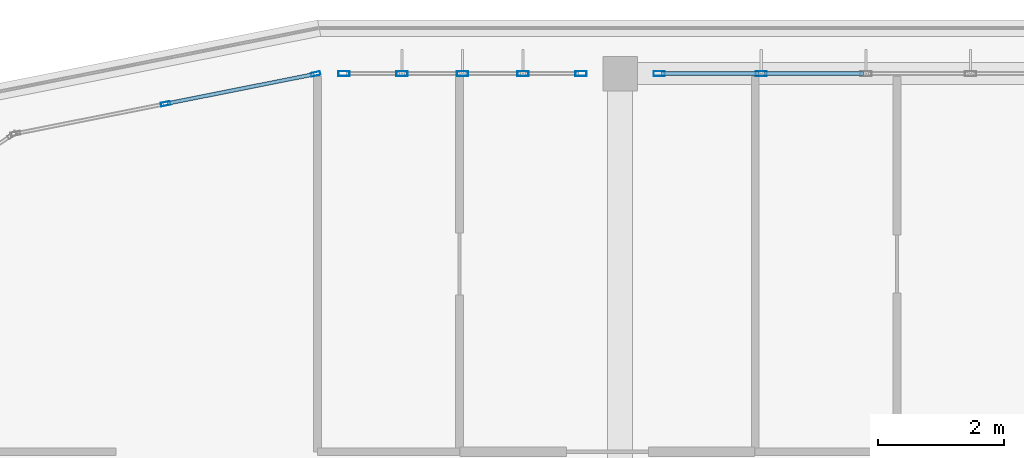
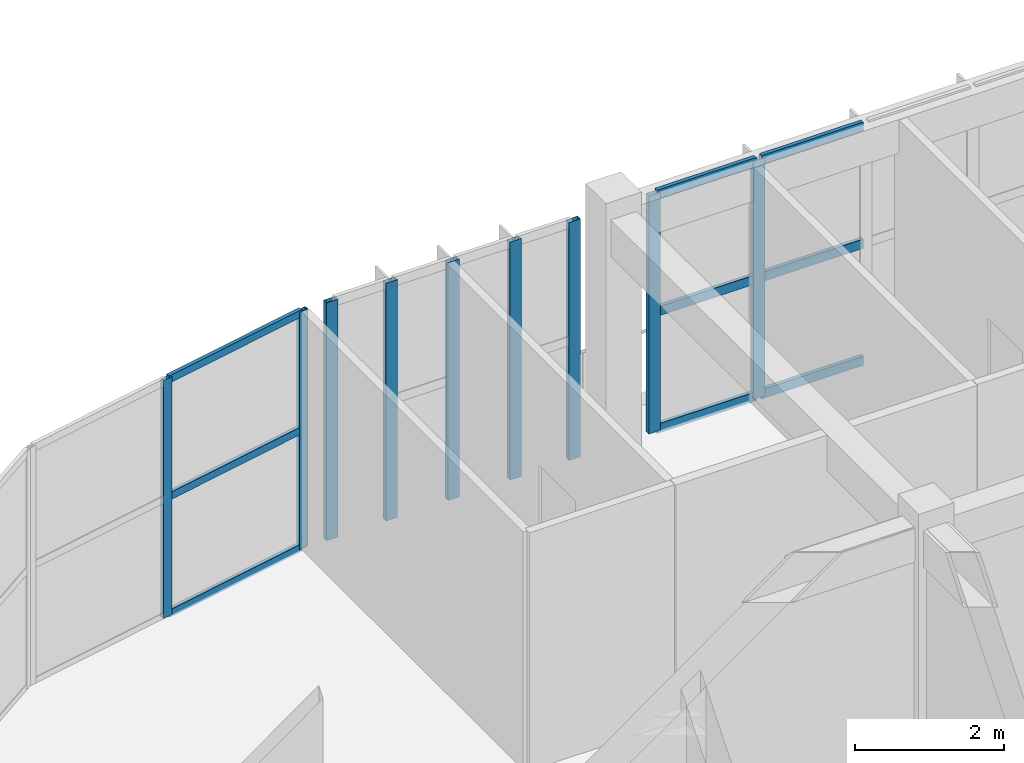
# One storey, part 8 of 44: 18 members, 3 elements without a shape of their own.
"""IFC4 building model written with IfcOpenShell, lengths in metres."""

from ifc_helpers import new_model, si_unit, direction, frame, origin, origin_2d, place, context, subcontext, project, spatial, hollow_rectangle, extrude, material, layer, layer_set, material_profile, profile_set, type_object, element, aggregate, save


model = new_model("IFC4")

# Units and contexts
model_context = context("Model", 3, precision=1e-05, world=origin(), true_north=direction((0.0, 1.0)))
body_context = subcontext(model_context, "Body", "Model", "MODEL_VIEW")
ifc_project = project(units=[si_unit("LENGTHUNIT", "METRE"), si_unit("AREAUNIT", "SQUARE_METRE"), si_unit("VOLUMEUNIT", "CUBIC_METRE"), si_unit("PLANEANGLEUNIT", "RADIAN"), si_unit("MASSUNIT", "GRAM", prefix="KILO")], contexts=[model_context])

# Site, building, storey
site_placement = place(None, origin())
site = spatial("IfcSite", under=ifc_project, at=site_placement, CompositionType="ELEMENT")
building_placement = place(site_placement, origin())
building = spatial("IfcBuilding", under=site, at=building_placement, Name="Zizhar Promenade General Hospital", CompositionType="ELEMENT")
storey_placement = place(building_placement, frame((0.0, 0.0, 34.800048828125)))
storey = spatial("IfcBuildingStorey", under=building, at=storey_placement, Name="L08", CompositionType="ELEMENT", Elevation=34.800048828125)

# Curtain wall, members
ifc_material_1 = material(Name="Anodised aluminium 6063-T6 and low-E glass", Category="aluminium")
ifc_layer_1 = layer(ifc_material_1, 0.159912109375)
ifc_layer_set_1 = layer_set([ifc_layer_1], Name="Anodised aluminium 6063-T6 and low-E glass")
curtain_wall_type_1 = type_object("IfcCurtainWallType", Name="CW-WARD-ARC", PredefinedType="NOTDEFINED", material=ifc_layer_set_1)
curtain_wall_1_placement = place(storey_placement, origin())
curtain_wall_1 = element("IfcCurtainWall", 1, at=curtain_wall_1_placement, inside=storey, type_object=curtain_wall_type_1, Name="Ward Semicircular End Glazing L08-10", PredefinedType="NOTDEFINED")
ifc_material_2 = material(Name="Anodised aluminium 6063-T6", Category="aluminium")
ifc_material_profile_1 = material_profile(ifc_material_2, hollow_rectangle(XDim=0.06005859375, YDim=0.14990234375, WallThickness=0.00390625, at=origin_2d()))
ifc_profile_set_1 = profile_set([ifc_material_profile_1], Name="Anodised aluminium 6063-T6")
member_type_1 = type_object("IfcMemberType", Name="CWM-ALU-150x60", PredefinedType="MULLION", material=ifc_profile_set_1)
member_1_placement = place(storey_placement, frame((47.38916015625, 24.720458984375, 0.0), z_axis=(0.0, 0.0, 1.0), x_axis=(-0.195087259275, 0.980785889615, 0.0)))
member_1 = element("IfcMember", 2, at=member_1_placement, type_object=member_type_1, Name="CW-12 mullion 2", PredefinedType="MULLION", context=body_context, shape_type="SweptSolid", body=[
    extrude(hollow_rectangle(XDim=0.06005859375, YDim=0.14990234375, WallThickness=0.00390625, at=origin_2d()), origin(), (0.0, 0.0, 1.0), 3.89990234375),
])
member_2_placement = place(storey_placement, frame((49.7705078125, 25.194091796875, 0.0), z_axis=(0.0, 0.0, 1.0), x_axis=(-0.195087259275, 0.980785889615, 0.0)))
member_2 = element("IfcMember", 3, at=member_2_placement, type_object=member_type_1, Name="CW-12 mullion 3", PredefinedType="MULLION", context=body_context, shape_type="SweptSolid", body=[
    extrude(hollow_rectangle(XDim=0.06005859375, YDim=0.14990234375, WallThickness=0.00390625, at=origin_2d()), origin(), (0.0, 0.0, 1.0), 3.89990234375),
])

ifc_material_3 = material(Name="Anodised aluminium 6063-T6 and low-E glass", Category="aluminium")
ifc_layer_2 = layer(ifc_material_3, 0.159912109375)
ifc_layer_set_2 = layer_set([ifc_layer_2], Name="Anodised aluminium 6063-T6 and low-E glass")
curtain_wall_type_2 = type_object("IfcCurtainWallType", Name="CW-WARD-RIB", PredefinedType="NOTDEFINED", material=ifc_layer_set_2)
curtain_wall_2_placement = place(storey_placement, origin())
curtain_wall_2 = element("IfcCurtainWall", 4, at=curtain_wall_2_placement, inside=storey, type_object=curtain_wall_type_2, Name="Ward Ribbon Curtain Wall L08-8-0", PredefinedType="NOTDEFINED")
ifc_material_4 = material(Name="Anodised aluminium 6063-T6", Category="aluminium")
ifc_material_profile_2 = material_profile(ifc_material_4, hollow_rectangle(XDim=0.080078125, YDim=0.179931640625, WallThickness=0.0048828125, at=origin_2d()))
ifc_profile_set_2 = profile_set([ifc_material_profile_2], Name="Anodised aluminium 6063-T6")
member_type_2 = type_object("IfcMemberType", Name="CWM-ALU-180x80", PredefinedType="MULLION", material=ifc_profile_set_2)
member_3_placement = place(storey_placement, frame((50.219970703125, 25.199951171875, 0.0), z_axis=(0.0, 0.0, 1.0), x_axis=(0.0, 1.0, 0.0)))
member_3 = element("IfcMember", 5, at=member_3_placement, type_object=member_type_2, Name="CW-13 mullion 1", PredefinedType="MULLION", context=body_context, shape_type="SweptSolid", body=[
    extrude(hollow_rectangle(XDim=0.080078125, YDim=0.179931640625, WallThickness=0.0048828125, at=origin_2d()), origin(), (0.0, 0.0, 1.0), 3.89990234375),
])
member_4_placement = place(storey_placement, frame((51.139892578125, 25.199951171875, 0.0), z_axis=(0.0, 0.0, 1.0), x_axis=(0.0, 1.0, 0.0)))
member_4 = element("IfcMember", 6, at=member_4_placement, type_object=member_type_2, Name="CW-13 mullion 2", PredefinedType="MULLION", context=body_context, shape_type="SweptSolid", body=[
    extrude(hollow_rectangle(XDim=0.080078125, YDim=0.179931640625, WallThickness=0.0048828125, at=origin_2d()), origin(), (0.0, 0.0, 1.0), 3.89990234375),
])
member_5_placement = place(storey_placement, frame((52.10009765625, 25.199951171875, 0.0), z_axis=(0.0, 0.0, 1.0), x_axis=(0.0, 1.0, 0.0)))
member_5 = element("IfcMember", 7, at=member_5_placement, type_object=member_type_2, Name="CW-13 mullion 3", PredefinedType="MULLION", context=body_context, shape_type="SweptSolid", body=[
    extrude(hollow_rectangle(XDim=0.080078125, YDim=0.179931640625, WallThickness=0.0048828125, at=origin_2d()), origin(), (0.0, 0.0, 1.0), 3.89990234375),
])
member_6_placement = place(storey_placement, frame((53.06005859375, 25.199951171875, 0.0), z_axis=(0.0, 0.0, 1.0), x_axis=(0.0, 1.0, 0.0)))
member_6 = element("IfcMember", 8, at=member_6_placement, type_object=member_type_2, Name="CW-13 mullion 4", PredefinedType="MULLION", context=body_context, shape_type="SweptSolid", body=[
    extrude(hollow_rectangle(XDim=0.080078125, YDim=0.179931640625, WallThickness=0.0048828125, at=origin_2d()), origin(), (0.0, 0.0, 1.0), 3.89990234375),
])
member_7_placement = place(storey_placement, frame((53.97998046875, 25.199951171875, 0.0), z_axis=(0.0, 0.0, 1.0), x_axis=(0.0, 1.0, 0.0)))
member_7 = element("IfcMember", 9, at=member_7_placement, type_object=member_type_2, Name="CW-13 mullion 5", PredefinedType="MULLION", context=body_context, shape_type="SweptSolid", body=[
    extrude(hollow_rectangle(XDim=0.080078125, YDim=0.179931640625, WallThickness=0.0048828125, at=origin_2d()), origin(), (0.0, 0.0, 1.0), 3.89990234375),
])
aggregate(curtain_wall_2, [member_3, member_4, member_5, member_6, member_7])

curtain_wall_3_placement = place(storey_placement, origin())
curtain_wall_3 = element("IfcCurtainWall", 10, at=curtain_wall_3_placement, inside=storey, type_object=curtain_wall_type_2, Name="Ward Ribbon Curtain Wall L08-8-1", PredefinedType="NOTDEFINED")
member_8_placement = place(storey_placement, frame((55.219970703125, 25.199951171875, 0.0), z_axis=(0.0, 0.0, 1.0), x_axis=(0.0, 1.0, 0.0)))
member_8 = element("IfcMember", 11, at=member_8_placement, type_object=member_type_2, Name="CW-13 mullion 1", PredefinedType="MULLION", context=body_context, shape_type="SweptSolid", body=[
    extrude(hollow_rectangle(XDim=0.080078125, YDim=0.179931640625, WallThickness=0.0048828125, at=origin_2d()), origin(), (0.0, 0.0, 1.0), 3.89990234375),
])
member_9_placement = place(storey_placement, frame((56.840087890625, 25.199951171875, 0.0), z_axis=(0.0, 0.0, 1.0), x_axis=(0.0, 1.0, 0.0)))
member_9 = element("IfcMember", 12, at=member_9_placement, type_object=member_type_2, Name="CW-13 mullion 2", PredefinedType="MULLION", context=body_context, shape_type="SweptSolid", body=[
    extrude(hollow_rectangle(XDim=0.080078125, YDim=0.179931640625, WallThickness=0.0048828125, at=origin_2d()), origin(), (0.0, 0.0, 1.0), 3.89990234375),
])

# Member
ifc_material_5 = material(Name="Anodised aluminium 6063-T6", Category="aluminium")
ifc_material_profile_3 = material_profile(ifc_material_5, hollow_rectangle(XDim=0.06005859375, YDim=0.1201171875, WallThickness=0.00390625, at=origin_2d()))
ifc_profile_set_3 = profile_set([ifc_material_profile_3], Name="Anodised aluminium 6063-T6")
member_type_3 = type_object("IfcMemberType", Name="CWT-ALU-120x60", PredefinedType="USERDEFINED", material=ifc_profile_set_3)
member_10_placement = place(storey_placement, frame((47.41845703125, 24.726318359375, 0.030029296875), z_axis=(0.980794200422, 0.195045472693, 0.0), x_axis=(-0.195045472693, 0.980794200422, 0.0)))
member_10 = element("IfcMember", 13, at=member_10_placement, type_object=member_type_3, Name="CW-12 transom 2.1", ObjectType="TRANSOM", PredefinedType="USERDEFINED", context=body_context, shape_type="SweptSolid", body=[
    extrude(hollow_rectangle(XDim=0.06005859375, YDim=0.1201171875, WallThickness=0.00390625, at=origin_2d()), origin(), (0.0, 0.0, 1.0), 2.3681640625),
])

member_11_placement = place(storey_placement, frame((47.41845703125, 24.726318359375, 1.949951171875), z_axis=(0.980794200422, 0.195045472693, 0.0), x_axis=(-0.195045472693, 0.980794200422, 0.0)))
member_11 = element("IfcMember", 14, at=member_11_placement, type_object=member_type_3, Name="CW-12 transom 2.2", ObjectType="TRANSOM", PredefinedType="USERDEFINED", context=body_context, shape_type="SweptSolid", body=[
    extrude(hollow_rectangle(XDim=0.06005859375, YDim=0.1201171875, WallThickness=0.00390625, at=origin_2d()), origin(), (0.0, 0.0, 1.0), 2.3681640625),
])

member_12_placement = place(storey_placement, frame((47.41845703125, 24.726318359375, 3.869873046875), z_axis=(0.980794200422, 0.195045472693, 0.0), x_axis=(-0.195045472693, 0.980794200422, 0.0)))
member_12 = element("IfcMember", 15, at=member_12_placement, type_object=member_type_3, Name="CW-12 transom 2.3", ObjectType="TRANSOM", PredefinedType="USERDEFINED", context=body_context, shape_type="SweptSolid", body=[
    extrude(hollow_rectangle(XDim=0.06005859375, YDim=0.1201171875, WallThickness=0.00390625, at=origin_2d()), origin(), (0.0, 0.0, 1.0), 2.3681640625),
])

aggregate(curtain_wall_1, [member_1, member_2, member_10, member_11, member_12])

ifc_material_6 = material(Name="Anodised aluminium 6063-T6", Category="aluminium")
ifc_material_profile_4 = material_profile(ifc_material_6, hollow_rectangle(XDim=0.06005859375, YDim=0.14990234375, WallThickness=0.00390625, at=origin_2d()))
ifc_profile_set_4 = profile_set([ifc_material_profile_4], Name="Anodised aluminium 6063-T6")
member_type_4 = type_object("IfcMemberType", Name="CWT-ALU-150x60", PredefinedType="USERDEFINED", material=ifc_profile_set_4)
member_13_placement = place(storey_placement, frame((55.260009765625, 25.199951171875, 0.030029296875), z_axis=(1.0, 0.0, 0.0), x_axis=(0.0, 1.0, 0.0)))
member_13 = element("IfcMember", 16, at=member_13_placement, type_object=member_type_4, Name="CW-13 transom 1.1", ObjectType="TRANSOM", PredefinedType="USERDEFINED", context=body_context, shape_type="SweptSolid", body=[
    extrude(hollow_rectangle(XDim=0.06005859375, YDim=0.14990234375, WallThickness=0.00390625, at=origin_2d()), origin(), (0.0, 0.0, 1.0), 1.5400390625),
])

member_14_placement = place(storey_placement, frame((55.260009765625, 25.199951171875, 1.949951171875), z_axis=(1.0, 0.0, 0.0), x_axis=(0.0, 1.0, 0.0)))
member_14 = element("IfcMember", 17, at=member_14_placement, type_object=member_type_4, Name="CW-13 transom 1.2", ObjectType="TRANSOM", PredefinedType="USERDEFINED", context=body_context, shape_type="SweptSolid", body=[
    extrude(hollow_rectangle(XDim=0.06005859375, YDim=0.14990234375, WallThickness=0.00390625, at=origin_2d()), origin(), (0.0, 0.0, 1.0), 1.5400390625),
])

member_15_placement = place(storey_placement, frame((55.260009765625, 25.199951171875, 3.869873046875), z_axis=(1.0, 0.0, 0.0), x_axis=(0.0, 1.0, 0.0)))
member_15 = element("IfcMember", 18, at=member_15_placement, type_object=member_type_4, Name="CW-13 transom 1.3", ObjectType="TRANSOM", PredefinedType="USERDEFINED", context=body_context, shape_type="SweptSolid", body=[
    extrude(hollow_rectangle(XDim=0.06005859375, YDim=0.14990234375, WallThickness=0.00390625, at=origin_2d()), origin(), (0.0, 0.0, 1.0), 1.5400390625),
])

member_16_placement = place(storey_placement, frame((56.8798828125, 25.199951171875, 0.030029296875), z_axis=(1.0, 0.0, 0.0), x_axis=(0.0, 1.0, 0.0)))
member_16 = element("IfcMember", 19, at=member_16_placement, type_object=member_type_4, Name="CW-13 transom 2.1", ObjectType="TRANSOM", PredefinedType="USERDEFINED", context=body_context, shape_type="SweptSolid", body=[
    extrude(hollow_rectangle(XDim=0.06005859375, YDim=0.14990234375, WallThickness=0.00390625, at=origin_2d()), origin(), (0.0, 0.0, 1.0), 1.580078125),
])

member_17_placement = place(storey_placement, frame((56.8798828125, 25.199951171875, 1.949951171875), z_axis=(1.0, 0.0, 0.0), x_axis=(0.0, 1.0, 0.0)))
member_17 = element("IfcMember", 20, at=member_17_placement, type_object=member_type_4, Name="CW-13 transom 2.2", ObjectType="TRANSOM", PredefinedType="USERDEFINED", context=body_context, shape_type="SweptSolid", body=[
    extrude(hollow_rectangle(XDim=0.06005859375, YDim=0.14990234375, WallThickness=0.00390625, at=origin_2d()), origin(), (0.0, 0.0, 1.0), 1.580078125),
])

member_18_placement = place(storey_placement, frame((56.8798828125, 25.199951171875, 3.869873046875), z_axis=(1.0, 0.0, 0.0), x_axis=(0.0, 1.0, 0.0)))
member_18 = element("IfcMember", 21, at=member_18_placement, type_object=member_type_4, Name="CW-13 transom 2.3", ObjectType="TRANSOM", PredefinedType="USERDEFINED", context=body_context, shape_type="SweptSolid", body=[
    extrude(hollow_rectangle(XDim=0.06005859375, YDim=0.14990234375, WallThickness=0.00390625, at=origin_2d()), origin(), (0.0, 0.0, 1.0), 1.580078125),
])

aggregate(curtain_wall_3, [member_8, member_9, member_13, member_14, member_15, member_16, member_17, member_18])

save(model, "model.ifc")
